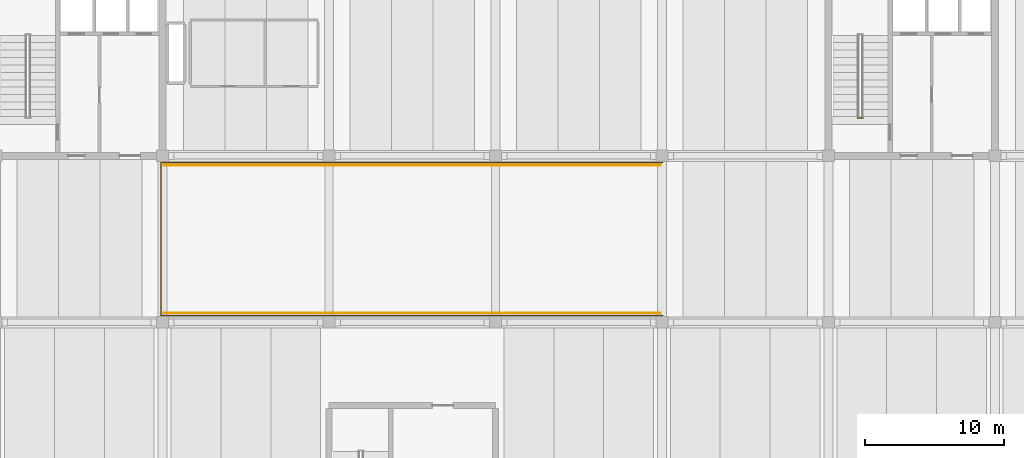
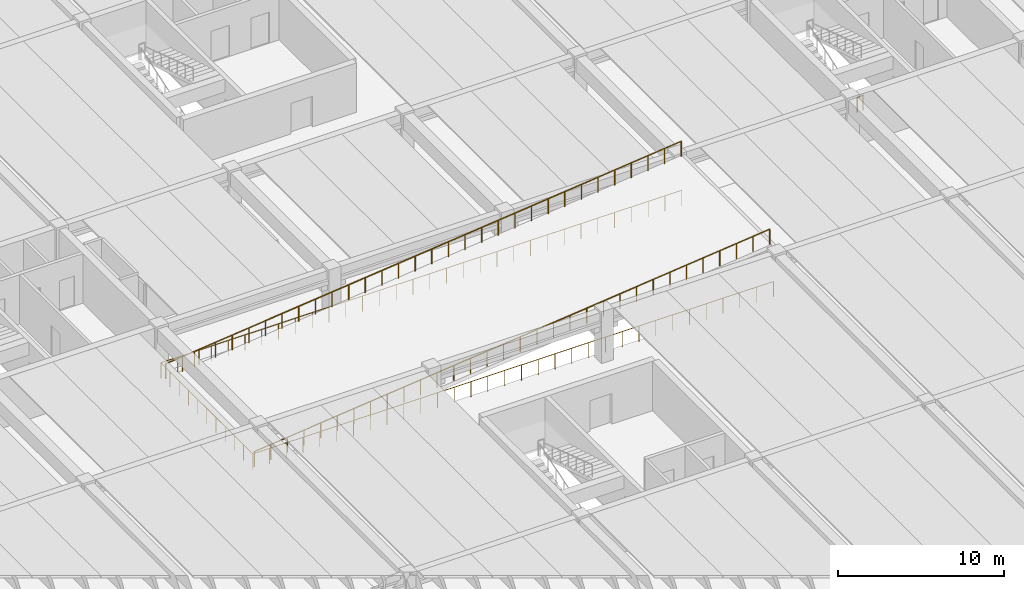
# One storey, part 13 of 14: 4 railings.
"""IFC4 building model written with IfcOpenShell, lengths in metres."""

from ifc_helpers import new_model, si_unit, direction, frame, origin, origin_2d, place, context, subcontext, project, spatial, circle, extrude, material, layer, layer_set, type_object, element, save


model = new_model("IFC4")

# Units and contexts
model_context = context("Model", 3, precision=1e-05, world=origin(), true_north=direction((0.0, 1.0)))
body_context = subcontext(model_context, "Body", "Model", "MODEL_VIEW")
ifc_project = project(units=[si_unit("LENGTHUNIT", "METRE"), si_unit("AREAUNIT", "SQUARE_METRE"), si_unit("VOLUMEUNIT", "CUBIC_METRE"), si_unit("PLANEANGLEUNIT", "RADIAN"), si_unit("MASSUNIT", "GRAM", prefix="KILO")], contexts=[model_context])

# Site, building, storey
site_placement = place(None, origin())
site = spatial("IfcSite", under=ifc_project, at=site_placement, CompositionType="ELEMENT")
building_placement = place(site_placement, origin())
building = spatial("IfcBuilding", under=site, at=building_placement, Name="Girod Span Mobility Hub", CompositionType="ELEMENT")
storey_placement = place(building_placement, frame((0.0, 0.0, 24.800048828125)))
storey = spatial("IfcBuildingStorey", under=building, at=storey_placement, Name="L06", CompositionType="ELEMENT", Elevation=24.800048828125)

# Railings
ifc_material_1 = material(Name="Painted Galvanised Steel", Category="steel")
ifc_layer_1 = layer(ifc_material_1, 0.06494140625)
ifc_layer_set_1 = layer_set([ifc_layer_1], Name="Painted Galvanised Steel")
railing_type_1 = type_object("IfcRailingType", Name="RL-GRD-1120", PredefinedType="GUARDRAIL", material=ifc_layer_set_1)
railing_1_placement = place(storey_placement, frame((60.10009765625, 45.679931640625, 0.0)))
element("IfcRailing", 1, at=railing_1_placement, inside=storey, type_object=railing_type_1, Name="Vehicular Ramp Guardrail L06-S", PredefinedType="GUARDRAIL", context=body_context, shape_type="SweptSolid", body=[
    extrude(circle(Radius=0.02392578125, at=origin_2d()), frame((0.0, 0.0, 1.09619140625), z_axis=(0.994413550329, 0.0, 0.105554208454), x_axis=(0.0, 1.0, 0.0)), (0.0, 0.0, 1.0), 36.0009765625),
    extrude(circle(Radius=0.02099609375, at=origin_2d()), origin(), (0.0, 0.0, 1.0), 1.072021484375),
    extrude(circle(Radius=0.02099609375, at=origin_2d()), frame((1.15478515625, 0.0, 0.12255859375)), (0.0, 0.0, 1.0), 1.072021484375),
    extrude(circle(Radius=0.02099609375, at=origin_2d()), frame((2.3095703125, 0.0, 0.2451171875)), (0.0, 0.0, 1.0), 1.072021484375),
    extrude(circle(Radius=0.02099609375, at=origin_2d()), frame((3.464599609375, 0.0, 0.36767578125)), (0.0, 0.0, 1.0), 1.072021484375),
    extrude(circle(Radius=0.02099609375, at=origin_2d()), frame((4.619384765625, 0.0, 0.490234375)), (0.0, 0.0, 1.0), 1.072021484375),
    extrude(circle(Radius=0.02099609375, at=origin_2d()), frame((5.774169921875, 0.0, 0.61279296875)), (0.0, 0.0, 1.0), 1.072021484375),
    extrude(circle(Radius=0.02099609375, at=origin_2d()), frame((6.928955078125, 0.0, 0.735595703125)), (0.0, 0.0, 1.0), 1.072021484375),
    extrude(circle(Radius=0.02099609375, at=origin_2d()), frame((8.083740234375, 0.0, 0.858154296875)), (0.0, 0.0, 1.0), 1.072021484375),
    extrude(circle(Radius=0.02099609375, at=origin_2d()), frame((9.23876953125, 0.0, 0.980712890625)), (0.0, 0.0, 1.0), 1.072021484375),
    extrude(circle(Radius=0.02099609375, at=origin_2d()), frame((10.3935546875, 0.0, 1.103271484375)), (0.0, 0.0, 1.0), 1.072021484375),
    extrude(circle(Radius=0.02099609375, at=origin_2d()), frame((11.54833984375, 0.0, 1.225830078125)), (0.0, 0.0, 1.0), 1.072021484375),
    extrude(circle(Radius=0.02099609375, at=origin_2d()), frame((12.703125, 0.0, 1.348388671875)), (0.0, 0.0, 1.0), 1.072021484375),
    extrude(circle(Radius=0.02099609375, at=origin_2d()), frame((13.85791015625, 0.0, 1.470947265625)), (0.0, 0.0, 1.0), 1.072021484375),
    extrude(circle(Radius=0.02099609375, at=origin_2d()), frame((15.012939453125, 0.0, 1.593505859375)), (0.0, 0.0, 1.0), 1.072021484375),
    extrude(circle(Radius=0.02099609375, at=origin_2d()), frame((16.167724609375, 0.0, 1.716064453125)), (0.0, 0.0, 1.0), 1.072021484375),
    extrude(circle(Radius=0.02099609375, at=origin_2d()), frame((17.322509765625, 0.0, 1.838623046875)), (0.0, 0.0, 1.0), 1.072021484375),
    extrude(circle(Radius=0.02099609375, at=origin_2d()), frame((18.477294921875, 0.0, 1.96142578125)), (0.0, 0.0, 1.0), 1.072021484375),
    extrude(circle(Radius=0.02099609375, at=origin_2d()), frame((19.632080078125, 0.0, 2.083984375)), (0.0, 0.0, 1.0), 1.072021484375),
    extrude(circle(Radius=0.02099609375, at=origin_2d()), frame((20.786865234375, 0.0, 2.20654296875)), (0.0, 0.0, 1.0), 1.072021484375),
    extrude(circle(Radius=0.02099609375, at=origin_2d()), frame((21.94189453125, 0.0, 2.3291015625)), (0.0, 0.0, 1.0), 1.072021484375),
    extrude(circle(Radius=0.02099609375, at=origin_2d()), frame((23.0966796875, 0.0, 2.45166015625)), (0.0, 0.0, 1.0), 1.072021484375),
    extrude(circle(Radius=0.02099609375, at=origin_2d()), frame((24.25146484375, 0.0, 2.57421875)), (0.0, 0.0, 1.0), 1.072021484375),
    extrude(circle(Radius=0.02099609375, at=origin_2d()), frame((25.40625, 0.0, 2.69677734375)), (0.0, 0.0, 1.0), 1.072021484375),
    extrude(circle(Radius=0.02099609375, at=origin_2d()), frame((26.56103515625, 0.0, 2.8193359375)), (0.0, 0.0, 1.0), 1.072021484375),
    extrude(circle(Radius=0.02099609375, at=origin_2d()), frame((27.716064453125, 0.0, 2.94189453125)), (0.0, 0.0, 1.0), 1.072021484375),
    extrude(circle(Radius=0.02099609375, at=origin_2d()), frame((28.870849609375, 0.0, 3.064453125)), (0.0, 0.0, 1.0), 1.072021484375),
    extrude(circle(Radius=0.02099609375, at=origin_2d()), frame((30.025634765625, 0.0, 3.187255859375)), (0.0, 0.0, 1.0), 1.072021484375),
    extrude(circle(Radius=0.02099609375, at=origin_2d()), frame((31.180419921875, 0.0, 3.309814453125)), (0.0, 0.0, 1.0), 1.072021484375),
    extrude(circle(Radius=0.02099609375, at=origin_2d()), frame((32.335205078125, 0.0, 3.432373046875)), (0.0, 0.0, 1.0), 1.072021484375),
    extrude(circle(Radius=0.02099609375, at=origin_2d()), frame((33.490234375, 0.0, 3.554931640625)), (0.0, 0.0, 1.0), 1.072021484375),
    extrude(circle(Radius=0.02099609375, at=origin_2d()), frame((34.64501953125, 0.0, 3.677490234375)), (0.0, 0.0, 1.0), 1.072021484375),
    extrude(circle(Radius=0.02099609375, at=origin_2d()), frame((35.7998046875, 0.0, 3.800048828125)), (0.0, 0.0, 1.0), 1.072021484375),
])
railing_2_placement = place(storey_placement, frame((60.10009765625, 56.320068359375, 0.0)))
element("IfcRailing", 2, at=railing_2_placement, inside=storey, type_object=railing_type_1, Name="Vehicular Ramp Guardrail L06-N", PredefinedType="GUARDRAIL", context=body_context, shape_type="SweptSolid", body=[
    extrude(circle(Radius=0.02392578125, at=origin_2d()), frame((0.0, 0.0, 1.09619140625), z_axis=(0.994413550329, 0.0, 0.105554208454), x_axis=(0.0, 1.0, 0.0)), (0.0, 0.0, 1.0), 36.0009765625),
    extrude(circle(Radius=0.02099609375, at=origin_2d()), origin(), (0.0, 0.0, 1.0), 1.072021484375),
    extrude(circle(Radius=0.02099609375, at=origin_2d()), frame((1.15478515625, 0.0, 0.12255859375)), (0.0, 0.0, 1.0), 1.072021484375),
    extrude(circle(Radius=0.02099609375, at=origin_2d()), frame((2.3095703125, 0.0, 0.2451171875)), (0.0, 0.0, 1.0), 1.072021484375),
    extrude(circle(Radius=0.02099609375, at=origin_2d()), frame((3.464599609375, 0.0, 0.36767578125)), (0.0, 0.0, 1.0), 1.072021484375),
    extrude(circle(Radius=0.02099609375, at=origin_2d()), frame((4.619384765625, 0.0, 0.490234375)), (0.0, 0.0, 1.0), 1.072021484375),
    extrude(circle(Radius=0.02099609375, at=origin_2d()), frame((5.774169921875, 0.0, 0.61279296875)), (0.0, 0.0, 1.0), 1.072021484375),
    extrude(circle(Radius=0.02099609375, at=origin_2d()), frame((6.928955078125, 0.0, 0.735595703125)), (0.0, 0.0, 1.0), 1.072021484375),
    extrude(circle(Radius=0.02099609375, at=origin_2d()), frame((8.083740234375, 0.0, 0.858154296875)), (0.0, 0.0, 1.0), 1.072021484375),
    extrude(circle(Radius=0.02099609375, at=origin_2d()), frame((9.23876953125, 0.0, 0.980712890625)), (0.0, 0.0, 1.0), 1.072021484375),
    extrude(circle(Radius=0.02099609375, at=origin_2d()), frame((10.3935546875, 0.0, 1.103271484375)), (0.0, 0.0, 1.0), 1.072021484375),
    extrude(circle(Radius=0.02099609375, at=origin_2d()), frame((11.54833984375, 0.0, 1.225830078125)), (0.0, 0.0, 1.0), 1.072021484375),
    extrude(circle(Radius=0.02099609375, at=origin_2d()), frame((12.703125, 0.0, 1.348388671875)), (0.0, 0.0, 1.0), 1.072021484375),
    extrude(circle(Radius=0.02099609375, at=origin_2d()), frame((13.85791015625, 0.0, 1.470947265625)), (0.0, 0.0, 1.0), 1.072021484375),
    extrude(circle(Radius=0.02099609375, at=origin_2d()), frame((15.012939453125, 0.0, 1.593505859375)), (0.0, 0.0, 1.0), 1.072021484375),
    extrude(circle(Radius=0.02099609375, at=origin_2d()), frame((16.167724609375, 0.0, 1.716064453125)), (0.0, 0.0, 1.0), 1.072021484375),
    extrude(circle(Radius=0.02099609375, at=origin_2d()), frame((17.322509765625, 0.0, 1.838623046875)), (0.0, 0.0, 1.0), 1.072021484375),
    extrude(circle(Radius=0.02099609375, at=origin_2d()), frame((18.477294921875, 0.0, 1.96142578125)), (0.0, 0.0, 1.0), 1.072021484375),
    extrude(circle(Radius=0.02099609375, at=origin_2d()), frame((19.632080078125, 0.0, 2.083984375)), (0.0, 0.0, 1.0), 1.072021484375),
    extrude(circle(Radius=0.02099609375, at=origin_2d()), frame((20.786865234375, 0.0, 2.20654296875)), (0.0, 0.0, 1.0), 1.072021484375),
    extrude(circle(Radius=0.02099609375, at=origin_2d()), frame((21.94189453125, 0.0, 2.3291015625)), (0.0, 0.0, 1.0), 1.072021484375),
    extrude(circle(Radius=0.02099609375, at=origin_2d()), frame((23.0966796875, 0.0, 2.45166015625)), (0.0, 0.0, 1.0), 1.072021484375),
    extrude(circle(Radius=0.02099609375, at=origin_2d()), frame((24.25146484375, 0.0, 2.57421875)), (0.0, 0.0, 1.0), 1.072021484375),
    extrude(circle(Radius=0.02099609375, at=origin_2d()), frame((25.40625, 0.0, 2.69677734375)), (0.0, 0.0, 1.0), 1.072021484375),
    extrude(circle(Radius=0.02099609375, at=origin_2d()), frame((26.56103515625, 0.0, 2.8193359375)), (0.0, 0.0, 1.0), 1.072021484375),
    extrude(circle(Radius=0.02099609375, at=origin_2d()), frame((27.716064453125, 0.0, 2.94189453125)), (0.0, 0.0, 1.0), 1.072021484375),
    extrude(circle(Radius=0.02099609375, at=origin_2d()), frame((28.870849609375, 0.0, 3.064453125)), (0.0, 0.0, 1.0), 1.072021484375),
    extrude(circle(Radius=0.02099609375, at=origin_2d()), frame((30.025634765625, 0.0, 3.187255859375)), (0.0, 0.0, 1.0), 1.072021484375),
    extrude(circle(Radius=0.02099609375, at=origin_2d()), frame((31.180419921875, 0.0, 3.309814453125)), (0.0, 0.0, 1.0), 1.072021484375),
    extrude(circle(Radius=0.02099609375, at=origin_2d()), frame((32.335205078125, 0.0, 3.432373046875)), (0.0, 0.0, 1.0), 1.072021484375),
    extrude(circle(Radius=0.02099609375, at=origin_2d()), frame((33.490234375, 0.0, 3.554931640625)), (0.0, 0.0, 1.0), 1.072021484375),
    extrude(circle(Radius=0.02099609375, at=origin_2d()), frame((34.64501953125, 0.0, 3.677490234375)), (0.0, 0.0, 1.0), 1.072021484375),
    extrude(circle(Radius=0.02099609375, at=origin_2d()), frame((35.7998046875, 0.0, 3.800048828125)), (0.0, 0.0, 1.0), 1.072021484375),
])
railing_3_placement = place(storey_placement, frame((110.10009765625, 59.72998046875, 0.0)))
element("IfcRailing", 3, at=railing_3_placement, inside=storey, type_object=railing_type_1, Name="Stair ST-2 Landing Well Guard L06", PredefinedType="GUARDRAIL", context=body_context, shape_type="SweptSolid", body=[
    extrude(circle(Radius=0.02392578125, at=origin_2d()), frame((0.0, 0.0, 1.09619140625), z_axis=(1.0, 0.0, 0.0), x_axis=(0.0, 1.0, 0.0)), (0.0, 0.0, 1.0), 0.39990234375),
    extrude(circle(Radius=0.02099609375, at=origin_2d()), origin(), (0.0, 0.0, 1.0), 1.072021484375),
    extrude(circle(Radius=0.02099609375, at=origin_2d()), frame((0.39990234375, 0.0, 0.0)), (0.0, 0.0, 1.0), 1.072021484375),
])
ifc_material_2 = material(Name="Painted Galvanised Steel", Category="steel")
ifc_layer_2 = layer(ifc_material_2, 0.074951171875)
ifc_layer_set_2 = layer_set([ifc_layer_2], Name="Painted Galvanised Steel")
railing_type_2 = type_object("IfcRailingType", Name="RL-GRD-1150", PredefinedType="GUARDRAIL", material=ifc_layer_set_2)
railing_4_placement = place(storey_placement, frame((96.050048828125, 45.47998046875, 0.0)))
element("IfcRailing", 4, at=railing_4_placement, inside=storey, type_object=railing_type_2, Name="Ramp Well Deck Guardrail L06", PredefinedType="GUARDRAIL", context=body_context, shape_type="SweptSolid", body=[
    extrude(circle(Radius=0.02392578125, at=origin_2d()), frame((0.0, 0.0, 1.1259765625), z_axis=(-1.0, 0.0, 0.0), x_axis=(0.0, -1.0, 0.0)), (0.0, 0.0, 1.0), 36.170166015625),
    extrude(circle(Radius=0.02392578125, at=origin_2d()), frame((-36.170166015625, 0.0, 1.1259765625), z_axis=(0.0, 1.0, 0.0), x_axis=(-1.0, 0.0, 0.0)), (0.0, 0.0, 1.0), 11.0400390625),
    extrude(circle(Radius=0.02392578125, at=origin_2d()), frame((-36.170166015625, 11.0400390625, 1.1259765625), z_axis=(1.0, 0.0, 0.0), x_axis=(0.0, 1.0, 0.0)), (0.0, 0.0, 1.0), 36.170166015625),
    extrude(circle(Radius=0.02099609375, at=origin_2d()), origin(), (0.0, 0.0, 1.0), 1.101806640625),
    extrude(circle(Radius=0.02099609375, at=origin_2d()), frame((-1.166748046875, 0.0, 0.0)), (0.0, 0.0, 1.0), 1.101806640625),
    extrude(circle(Radius=0.02099609375, at=origin_2d()), frame((-2.33349609375, 0.0, 0.0)), (0.0, 0.0, 1.0), 1.101806640625),
    extrude(circle(Radius=0.02099609375, at=origin_2d()), frame((-3.500244140625, 0.0, 0.0)), (0.0, 0.0, 1.0), 1.101806640625),
    extrude(circle(Radius=0.02099609375, at=origin_2d()), frame((-4.667236328125, 0.0, 0.0)), (0.0, 0.0, 1.0), 1.101806640625),
    extrude(circle(Radius=0.02099609375, at=origin_2d()), frame((-5.833984375, 0.0, 0.0)), (0.0, 0.0, 1.0), 1.101806640625),
    extrude(circle(Radius=0.02099609375, at=origin_2d()), frame((-7.000732421875, 0.0, 0.0)), (0.0, 0.0, 1.0), 1.101806640625),
    extrude(circle(Radius=0.02099609375, at=origin_2d()), frame((-8.16748046875, 0.0, 0.0)), (0.0, 0.0, 1.0), 1.101806640625),
    extrude(circle(Radius=0.02099609375, at=origin_2d()), frame((-9.334228515625, 0.0, 0.0)), (0.0, 0.0, 1.0), 1.101806640625),
    extrude(circle(Radius=0.02099609375, at=origin_2d()), frame((-10.5009765625, 0.0, 0.0)), (0.0, 0.0, 1.0), 1.101806640625),
    extrude(circle(Radius=0.02099609375, at=origin_2d()), frame((-11.667724609375, 0.0, 0.0)), (0.0, 0.0, 1.0), 1.101806640625),
    extrude(circle(Radius=0.02099609375, at=origin_2d()), frame((-12.83447265625, 0.0, 0.0)), (0.0, 0.0, 1.0), 1.101806640625),
    extrude(circle(Radius=0.02099609375, at=origin_2d()), frame((-14.00146484375, 0.0, 0.0)), (0.0, 0.0, 1.0), 1.101806640625),
    extrude(circle(Radius=0.02099609375, at=origin_2d()), frame((-15.168212890625, 0.0, 0.0)), (0.0, 0.0, 1.0), 1.101806640625),
    extrude(circle(Radius=0.02099609375, at=origin_2d()), frame((-16.3349609375, 0.0, 0.0)), (0.0, 0.0, 1.0), 1.101806640625),
    extrude(circle(Radius=0.02099609375, at=origin_2d()), frame((-17.501708984375, 0.0, 0.0)), (0.0, 0.0, 1.0), 1.101806640625),
    extrude(circle(Radius=0.02099609375, at=origin_2d()), frame((-18.66845703125, 0.0, 0.0)), (0.0, 0.0, 1.0), 1.101806640625),
    extrude(circle(Radius=0.02099609375, at=origin_2d()), frame((-19.835205078125, 0.0, 0.0)), (0.0, 0.0, 1.0), 1.101806640625),
    extrude(circle(Radius=0.02099609375, at=origin_2d()), frame((-21.001953125, 0.0, 0.0)), (0.0, 0.0, 1.0), 1.101806640625),
    extrude(circle(Radius=0.02099609375, at=origin_2d()), frame((-22.168701171875, 0.0, 0.0)), (0.0, 0.0, 1.0), 1.101806640625),
    extrude(circle(Radius=0.02099609375, at=origin_2d()), frame((-23.335693359375, 0.0, 0.0)), (0.0, 0.0, 1.0), 1.101806640625),
    extrude(circle(Radius=0.02099609375, at=origin_2d()), frame((-24.50244140625, 0.0, 0.0)), (0.0, 0.0, 1.0), 1.101806640625),
    extrude(circle(Radius=0.02099609375, at=origin_2d()), frame((-25.669189453125, 0.0, 0.0)), (0.0, 0.0, 1.0), 1.101806640625),
    extrude(circle(Radius=0.02099609375, at=origin_2d()), frame((-26.8359375, 0.0, 0.0)), (0.0, 0.0, 1.0), 1.101806640625),
    extrude(circle(Radius=0.02099609375, at=origin_2d()), frame((-28.002685546875, 0.0, 0.0)), (0.0, 0.0, 1.0), 1.101806640625),
    extrude(circle(Radius=0.02099609375, at=origin_2d()), frame((-29.16943359375, 0.0, 0.0)), (0.0, 0.0, 1.0), 1.101806640625),
    extrude(circle(Radius=0.02099609375, at=origin_2d()), frame((-30.336181640625, 0.0, 0.0)), (0.0, 0.0, 1.0), 1.101806640625),
    extrude(circle(Radius=0.02099609375, at=origin_2d()), frame((-31.5029296875, 0.0, 0.0)), (0.0, 0.0, 1.0), 1.101806640625),
    extrude(circle(Radius=0.02099609375, at=origin_2d()), frame((-32.669921875, 0.0, 0.0)), (0.0, 0.0, 1.0), 1.101806640625),
    extrude(circle(Radius=0.02099609375, at=origin_2d()), frame((-33.836669921875, 0.0, 0.0)), (0.0, 0.0, 1.0), 1.101806640625),
    extrude(circle(Radius=0.02099609375, at=origin_2d()), frame((-35.00341796875, 0.0, 0.0)), (0.0, 0.0, 1.0), 1.101806640625),
    extrude(circle(Radius=0.02099609375, at=origin_2d()), frame((-36.170166015625, 0.0, 0.0)), (0.0, 0.0, 1.0), 1.101806640625),
    extrude(circle(Radius=0.02099609375, at=origin_2d()), frame((-36.170166015625, 1.10400390625, 0.0)), (0.0, 0.0, 1.0), 1.101806640625),
    extrude(circle(Radius=0.02099609375, at=origin_2d()), frame((-36.170166015625, 2.2080078125, 0.0)), (0.0, 0.0, 1.0), 1.101806640625),
    extrude(circle(Radius=0.02099609375, at=origin_2d()), frame((-36.170166015625, 3.31201171875, 0.0)), (0.0, 0.0, 1.0), 1.101806640625),
    extrude(circle(Radius=0.02099609375, at=origin_2d()), frame((-36.170166015625, 4.416015625, 0.0)), (0.0, 0.0, 1.0), 1.101806640625),
    extrude(circle(Radius=0.02099609375, at=origin_2d()), frame((-36.170166015625, 5.52001953125, 0.0)), (0.0, 0.0, 1.0), 1.101806640625),
    extrude(circle(Radius=0.02099609375, at=origin_2d()), frame((-36.170166015625, 6.6240234375, 0.0)), (0.0, 0.0, 1.0), 1.101806640625),
    extrude(circle(Radius=0.02099609375, at=origin_2d()), frame((-36.170166015625, 7.72802734375, 0.0)), (0.0, 0.0, 1.0), 1.101806640625),
    extrude(circle(Radius=0.02099609375, at=origin_2d()), frame((-36.170166015625, 8.83203125, 0.0)), (0.0, 0.0, 1.0), 1.101806640625),
    extrude(circle(Radius=0.02099609375, at=origin_2d()), frame((-36.170166015625, 9.93603515625, 0.0)), (0.0, 0.0, 1.0), 1.101806640625),
    extrude(circle(Radius=0.02099609375, at=origin_2d()), frame((-36.170166015625, 11.0400390625, 0.0)), (0.0, 0.0, 1.0), 1.101806640625),
    extrude(circle(Radius=0.02099609375, at=origin_2d()), frame((-35.00341796875, 11.0400390625, 0.0)), (0.0, 0.0, 1.0), 1.101806640625),
    extrude(circle(Radius=0.02099609375, at=origin_2d()), frame((-33.836669921875, 11.0400390625, 0.0)), (0.0, 0.0, 1.0), 1.101806640625),
    extrude(circle(Radius=0.02099609375, at=origin_2d()), frame((-32.669921875, 11.0400390625, 0.0)), (0.0, 0.0, 1.0), 1.101806640625),
    extrude(circle(Radius=0.02099609375, at=origin_2d()), frame((-31.5029296875, 11.0400390625, 0.0)), (0.0, 0.0, 1.0), 1.101806640625),
    extrude(circle(Radius=0.02099609375, at=origin_2d()), frame((-30.336181640625, 11.0400390625, 0.0)), (0.0, 0.0, 1.0), 1.101806640625),
    extrude(circle(Radius=0.02099609375, at=origin_2d()), frame((-29.16943359375, 11.0400390625, 0.0)), (0.0, 0.0, 1.0), 1.101806640625),
    extrude(circle(Radius=0.02099609375, at=origin_2d()), frame((-28.002685546875, 11.0400390625, 0.0)), (0.0, 0.0, 1.0), 1.101806640625),
    extrude(circle(Radius=0.02099609375, at=origin_2d()), frame((-26.8359375, 11.0400390625, 0.0)), (0.0, 0.0, 1.0), 1.101806640625),
    extrude(circle(Radius=0.02099609375, at=origin_2d()), frame((-25.669189453125, 11.0400390625, 0.0)), (0.0, 0.0, 1.0), 1.101806640625),
    extrude(circle(Radius=0.02099609375, at=origin_2d()), frame((-24.50244140625, 11.0400390625, 0.0)), (0.0, 0.0, 1.0), 1.101806640625),
    extrude(circle(Radius=0.02099609375, at=origin_2d()), frame((-23.335693359375, 11.0400390625, 0.0)), (0.0, 0.0, 1.0), 1.101806640625),
    extrude(circle(Radius=0.02099609375, at=origin_2d()), frame((-22.168701171875, 11.0400390625, 0.0)), (0.0, 0.0, 1.0), 1.101806640625),
    extrude(circle(Radius=0.02099609375, at=origin_2d()), frame((-21.001953125, 11.0400390625, 0.0)), (0.0, 0.0, 1.0), 1.101806640625),
    extrude(circle(Radius=0.02099609375, at=origin_2d()), frame((-19.835205078125, 11.0400390625, 0.0)), (0.0, 0.0, 1.0), 1.101806640625),
    extrude(circle(Radius=0.02099609375, at=origin_2d()), frame((-18.66845703125, 11.0400390625, 0.0)), (0.0, 0.0, 1.0), 1.101806640625),
    extrude(circle(Radius=0.02099609375, at=origin_2d()), frame((-17.501708984375, 11.0400390625, 0.0)), (0.0, 0.0, 1.0), 1.101806640625),
    extrude(circle(Radius=0.02099609375, at=origin_2d()), frame((-16.3349609375, 11.0400390625, 0.0)), (0.0, 0.0, 1.0), 1.101806640625),
    extrude(circle(Radius=0.02099609375, at=origin_2d()), frame((-15.168212890625, 11.0400390625, 0.0)), (0.0, 0.0, 1.0), 1.101806640625),
    extrude(circle(Radius=0.02099609375, at=origin_2d()), frame((-14.00146484375, 11.0400390625, 0.0)), (0.0, 0.0, 1.0), 1.101806640625),
    extrude(circle(Radius=0.02099609375, at=origin_2d()), frame((-12.83447265625, 11.0400390625, 0.0)), (0.0, 0.0, 1.0), 1.101806640625),
    extrude(circle(Radius=0.02099609375, at=origin_2d()), frame((-11.667724609375, 11.0400390625, 0.0)), (0.0, 0.0, 1.0), 1.101806640625),
    extrude(circle(Radius=0.02099609375, at=origin_2d()), frame((-10.5009765625, 11.0400390625, 0.0)), (0.0, 0.0, 1.0), 1.101806640625),
    extrude(circle(Radius=0.02099609375, at=origin_2d()), frame((-9.334228515625, 11.0400390625, 0.0)), (0.0, 0.0, 1.0), 1.101806640625),
    extrude(circle(Radius=0.02099609375, at=origin_2d()), frame((-8.16748046875, 11.0400390625, 0.0)), (0.0, 0.0, 1.0), 1.101806640625),
    extrude(circle(Radius=0.02099609375, at=origin_2d()), frame((-7.000732421875, 11.0400390625, 0.0)), (0.0, 0.0, 1.0), 1.101806640625),
    extrude(circle(Radius=0.02099609375, at=origin_2d()), frame((-5.833984375, 11.0400390625, 0.0)), (0.0, 0.0, 1.0), 1.101806640625),
    extrude(circle(Radius=0.02099609375, at=origin_2d()), frame((-4.667236328125, 11.0400390625, 0.0)), (0.0, 0.0, 1.0), 1.101806640625),
    extrude(circle(Radius=0.02099609375, at=origin_2d()), frame((-3.500244140625, 11.0400390625, 0.0)), (0.0, 0.0, 1.0), 1.101806640625),
    extrude(circle(Radius=0.02099609375, at=origin_2d()), frame((-2.33349609375, 11.0400390625, 0.0)), (0.0, 0.0, 1.0), 1.101806640625),
    extrude(circle(Radius=0.02099609375, at=origin_2d()), frame((-1.166748046875, 11.0400390625, 0.0)), (0.0, 0.0, 1.0), 1.101806640625),
    extrude(circle(Radius=0.02099609375, at=origin_2d()), frame((0.0, 11.0400390625, 0.0)), (0.0, 0.0, 1.0), 1.101806640625),
])

save(model, "model.ifc")
